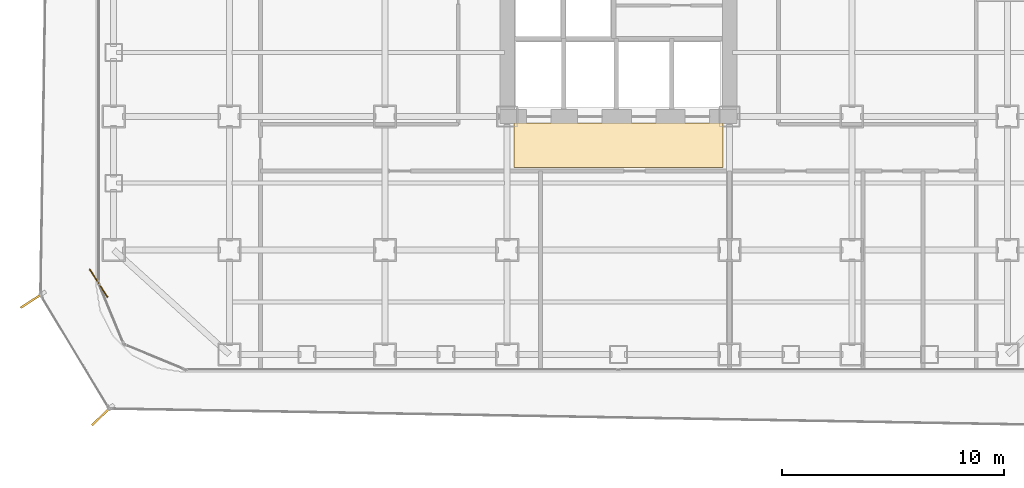
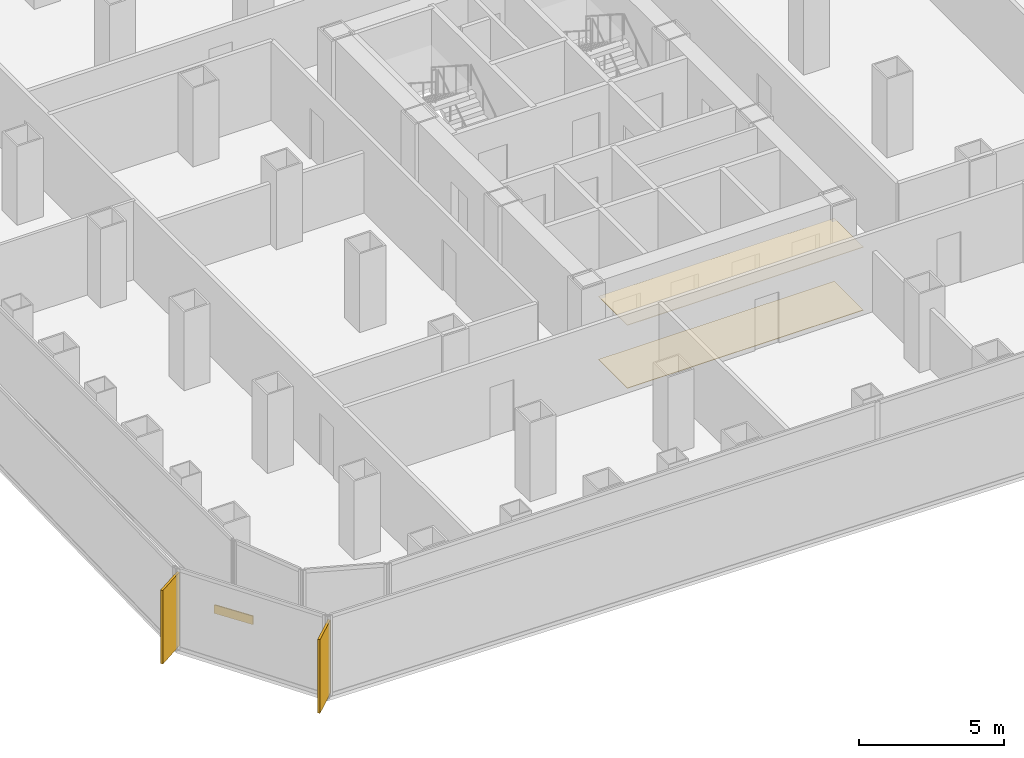
# One storey, part 19 of 21: 3 coverings, 2 shading devices.
"""IFC4 building model written with IfcOpenShell, lengths in metres."""

from ifc_helpers import new_model, si_unit, direction, frame, origin, origin_2d, place, context, subcontext, project, spatial, polyline, rectangle, outline, extrude, source, transform, mapped, material, layer, layer_set, type_object, element, save


model = new_model("IFC4")

# Units and contexts
model_context = context("Model", 3, precision=1e-05, world=origin(), true_north=direction((0.0, 1.0)))
body_context = subcontext(model_context, "Body", "Model", "MODEL_VIEW")
ifc_project = project(units=[si_unit("LENGTHUNIT", "METRE"), si_unit("AREAUNIT", "SQUARE_METRE"), si_unit("VOLUMEUNIT", "CUBIC_METRE"), si_unit("PLANEANGLEUNIT", "RADIAN"), si_unit("MASSUNIT", "GRAM", prefix="KILO")], contexts=[model_context])

# Site, building, storey
site_placement = place(None, origin())
site = spatial("IfcSite", under=ifc_project, at=site_placement, CompositionType="ELEMENT")
building_placement = place(site_placement, origin())
building = spatial("IfcBuilding", under=site, at=building_placement, Name="Kolveth Station Tower", CompositionType="ELEMENT")
storey_placement = place(building_placement, frame((0.0, 0.0, 36.89990234375)))
storey = spatial("IfcBuildingStorey", under=building, at=storey_placement, Name="L09", CompositionType="ELEMENT", Elevation=36.89990234375)

# Coverings
ifc_material_1 = material(Name="Acoustic mineral-fibre ceiling tile")
ifc_layer_1 = layer(ifc_material_1, 0.02490234375)
ifc_layer_set_1 = layer_set([ifc_layer_1], Name="Acoustic mineral-fibre ceiling tile")
covering_type_1 = type_object("IfcCoveringType", Name="Ceil_CL1", PredefinedType="CEILING", material=ifc_layer_set_1)
covering_1_placement = place(storey_placement, frame((0.0, 0.0, 2.650146484375)))
element("IfcCovering", 1, at=covering_1_placement, inside=storey, type_object=covering_type_1, Name="L09 Lift Lobby Suspended Ceiling", PredefinedType="CEILING", context=body_context, shape_type="SweptSolid", body=[
    extrude(outline(polyline([(18.800048828125, 9.199951171875), (28.199951171875, 9.199951171875), (28.199951171875, 11.199951171875), (18.800048828125, 11.199951171875), (18.800048828125, 9.199951171875)])), origin(), (0.0, 0.0, 1.0), 0.02490234375),
])
ifc_material_2 = material(Name="Honed terrazzo flooring")
ifc_layer_2 = layer(ifc_material_2, 0.02001953125)
ifc_layer_set_2 = layer_set([ifc_layer_2], Name="Honed terrazzo flooring")
covering_type_2 = type_object("IfcCoveringType", Name="Floor_FL1", PredefinedType="FLOORING", material=ifc_layer_set_2)
covering_2_placement = place(storey_placement, origin())
element("IfcCovering", 2, at=covering_2_placement, inside=storey, type_object=covering_type_2, Name="L09 Lift Lobby Floor Finish", PredefinedType="FLOORING", context=body_context, shape_type="SweptSolid", body=[
    extrude(outline(polyline([(18.800048828125, 9.199951171875), (28.199951171875, 9.199951171875), (28.199951171875, 11.199951171875), (18.800048828125, 11.199951171875), (18.800048828125, 9.199951171875)])), origin(), (0.0, 0.0, 1.0), 0.02001953125),
])

# Shading devices
ifc_material_3 = material(Name="Black anodized aluminium 6063-T6", Category="aluminium")
shading_device_type = type_object("IfcShadingDeviceType", Name="FIN_VF1", PredefinedType="USERDEFINED", material=ifc_material_3)
shared_shape_1 = source(origin(), body_context, "Body", "SweptSolid", [
    extrude(rectangle(XDim=1.25, YDim=0.090087890625, at=origin_2d()), origin(), (0.0, 0.0, 1.0), 3.10009765625),
])
for number, where, z_axis, x_axis, name in (
    (3, (-2.865966796875, 3.23388671875, 0.0), (0.0, 0.0, 1.0), (-0.840188215011, -0.542294904417, 0.0), "L09 Dark-Aluminium Solar Fin 7"),
    (4, (0.27099609375, -1.9541015625, 0.0), (0.0, 0.0, 1.0), (-0.722846553171, -0.691008582124, 0.0), "L09 Dark-Aluminium Solar Fin 8"),
):
    element("IfcShadingDevice", number, at=place(storey_placement, frame(where, z_axis=z_axis, x_axis=x_axis)), inside=storey, type_object=shading_device_type, Name=name, ObjectType="FIN", PredefinedType="USERDEFINED", context=body_context, shape_type="MappedRepresentation", body=[
        mapped(shared_shape_1, transform((0.0, 0.0, 0.0), x_axis=(1.0, 0.0, 0.0), y_axis=(0.0, 1.0, 0.0), z_axis=(0.0, 0.0, 1.0), scale=1.0)),
    ])

# Covering
ifc_material_4 = material(Name="Charcoal anodized aluminium spandrel cladding", Category="aluminium")
ifc_layer_3 = layer(ifc_material_4, 0.044921875)
ifc_layer_set_3 = layer_set([ifc_layer_3], Name="Charcoal anodized aluminium spandrel cladding")
covering_type_3 = type_object("IfcCoveringType", Name="Clad_CD1", PredefinedType="CLADDING", material=ifc_layer_set_3)
shared_shape_2 = source(origin(), body_context, "Body", "SweptSolid", [
    extrude(rectangle(XDim=1.5, YDim=0.044921875, at=origin_2d()), origin(), (0.0, 0.0, 1.0), 0.360107421875),
])
covering_3_placement = place(storey_placement, frame((0.1201171875, 4.0, 0.0), z_axis=(0.0, 0.0, 1.0), x_axis=(0.542294904417, -0.840188215011, 0.0)))
element("IfcCovering", 5, at=covering_3_placement, inside=storey, type_object=covering_type_3, Name="L09 Spandrel Edge Cladding 7", PredefinedType="CLADDING", context=body_context, shape_type="MappedRepresentation", body=[
    mapped(shared_shape_2, transform((0.0, 0.0, 0.0), x_axis=(1.0, 0.0, 0.0), y_axis=(0.0, 1.0, 0.0), z_axis=(0.0, 0.0, 1.0), scale=1.0)),
])

save(model, "model.ifc")
